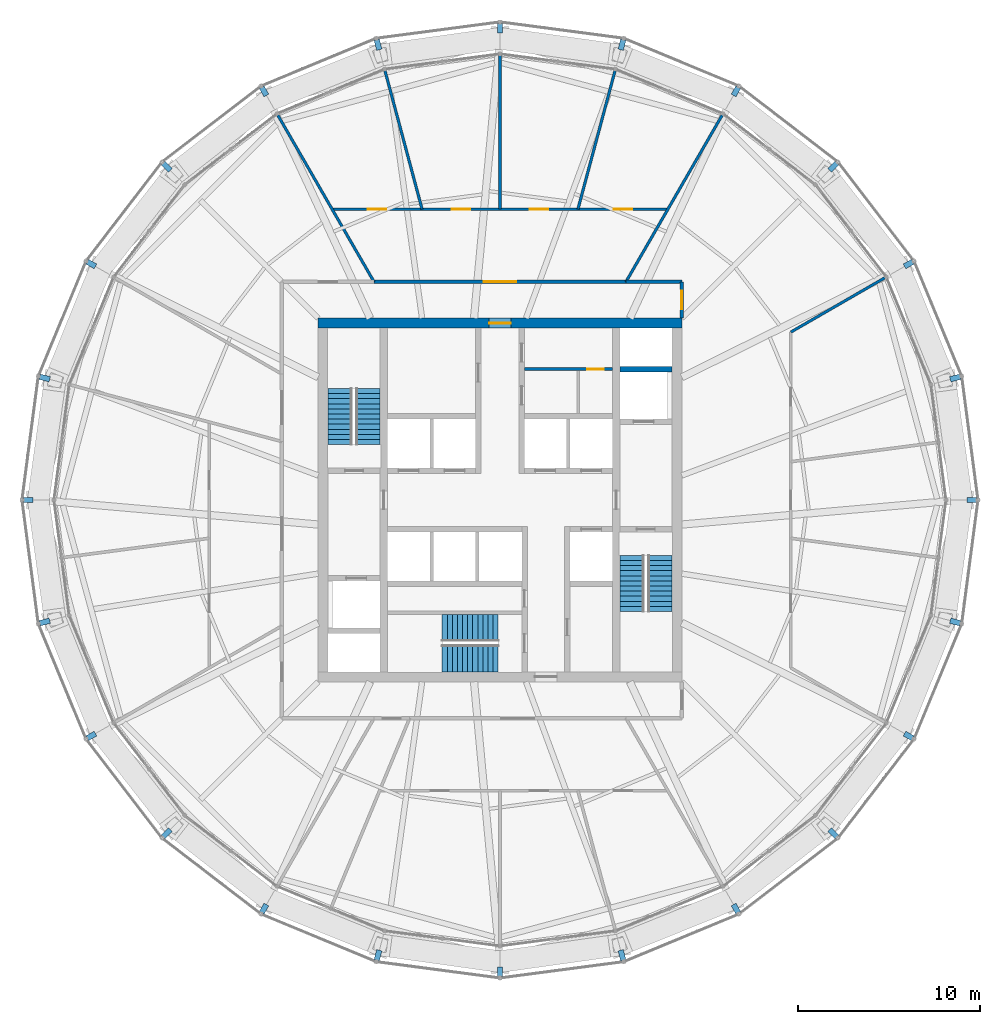
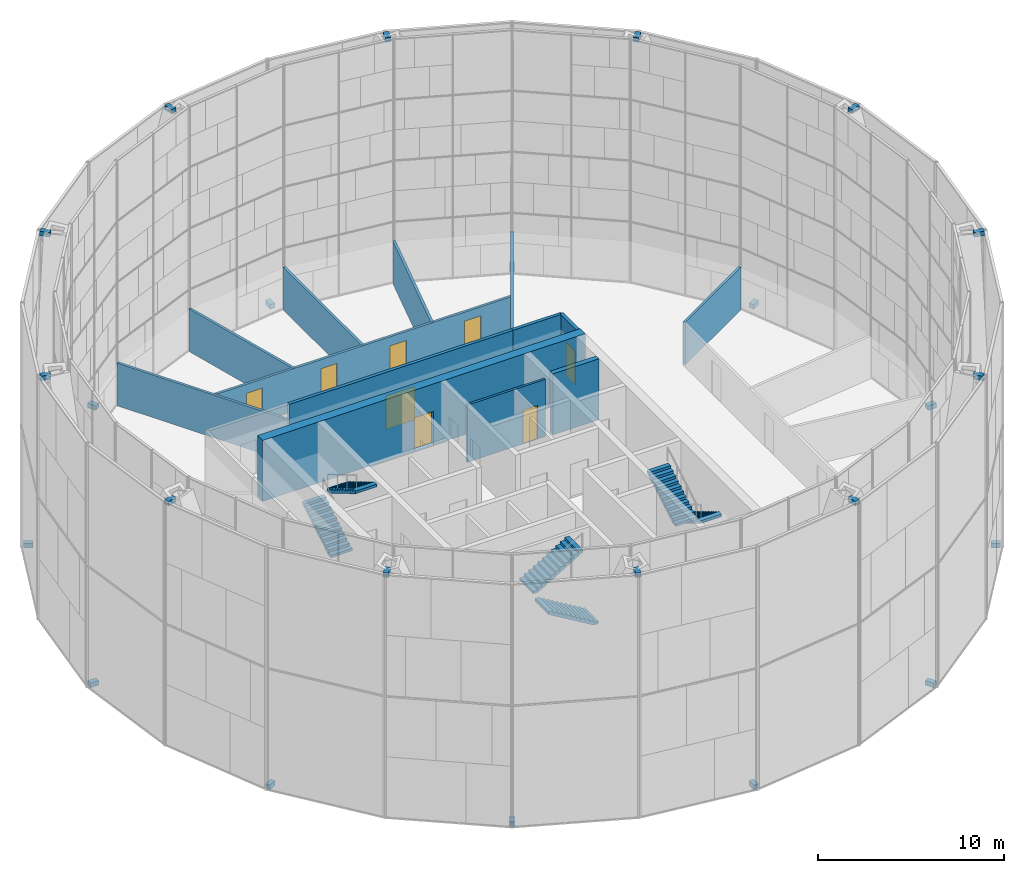
# One storey, part 28 of 29: 24 discrete accessories, 13 walls, 8 doors, 6 stair flights, 8 openings, 3 elements without a shape of their own.
"""IFC4 building model written with IfcOpenShell, lengths in metres."""

from ifc_helpers import new_model, si_unit, direction, frame, frame_2d, origin, origin_2d, place, context, subcontext, project, spatial, polyline, rectangle, outline, extrude, material, layer, layer_set, type_object, element, fill, aggregate, save


model = new_model("IFC4")

# Units and contexts
model_context = context("Model", 3, precision=1e-05, world=origin(), true_north=direction((0.0, 1.0)))
body_context = subcontext(model_context, "Body", "Model", "MODEL_VIEW")
ifc_project = project(units=[si_unit("LENGTHUNIT", "METRE"), si_unit("AREAUNIT", "SQUARE_METRE"), si_unit("VOLUMEUNIT", "CUBIC_METRE"), si_unit("PLANEANGLEUNIT", "RADIAN"), si_unit("MASSUNIT", "GRAM", prefix="KILO")], contexts=[model_context])

# Site, building, storey
site_placement = place(None, origin())
site = spatial("IfcSite", under=ifc_project, at=site_placement, CompositionType="ELEMENT")
building_placement = place(site_placement, origin())
building = spatial("IfcBuilding", under=site, at=building_placement, Name="Golbaran Civic Tower", CompositionType="ELEMENT")
storey_placement = place(building_placement, frame((0.0, 0.0, 118.0)))
storey = spatial("IfcBuildingStorey", under=building, at=storey_placement, Name="L28", CompositionType="ELEMENT", Elevation=118.0)

# Wall, opening, door
ifc_material_1 = material(Name="Concrete block", Category="concrete")
ifc_layer_1 = layer(ifc_material_1, 0.14990234375, Name="Concrete block")
ifc_layer_set_1 = layer_set([ifc_layer_1], Name="Concrete block")
wall_type_1 = type_object("IfcWallType", Name="BLOCKWORK PARTITION 150", PredefinedType="PARTITIONING", material=ifc_layer_set_1)
wall_1_placement = place(storey_placement, frame((1.35009765625, 7.199951171875, 0.0), z_axis=(0.0, 0.0, 1.0), x_axis=(1.0, 0.0, 0.0)))
wall_1 = element("IfcWall", 1, at=wall_1_placement, inside=storey, type_object=wall_type_1, Name="Toilet block partition TN1 L28", PredefinedType="PARTITIONING", context=body_context, shape_type="SweptSolid", body=[
    extrude(rectangle(XDim=4.849853515625, YDim=0.14990234375, at=frame_2d((2.4248046875, 0.0))), origin(), (0.0, 0.0, 1.0), 3.75),
])
opening_1_placement = place(wall_1_placement, frame((3.449951171875, 0.0, 0.0)))
opening_1 = element("IfcOpeningElement", 2, at=opening_1_placement, cuts=wall_1, Name="Opening L28.CLN", PredefinedType="OPENING", context=body_context, shape_type="SweptSolid", body=[
    extrude(rectangle(XDim=0.89990234375, YDim=2.199951171875, at=frame_2d((0.449951171875, 1.10009765625))), frame((0.0, 0.0849609375, 0.0), z_axis=(0.0, -1.0, 0.0), x_axis=(1.0, 0.0, 0.0)), (0.0, 0.0, 1.0), 0.169921875),
])
ifc_material_2 = material(Name="Timber door set in steel frame", Category="steel")
door_type_1 = type_object("IfcDoorType", Name="RISER DOOR 900x2200", OperationType="SINGLE_SWING_LEFT", PredefinedType="DOOR", material=ifc_material_2)
door_1_placement = place(opening_1_placement, origin())
door_1 = element("IfcDoor", 3, at=door_1_placement, inside=storey, type_object=door_type_1, Name="Housekeeping Store door", OperationType="SINGLE_SWING_RIGHT", OverallHeight=2.199951171875, OverallWidth=0.89990234375, PredefinedType="DOOR", context=body_context, shape_type="SweptSolid", body=[
    extrude(rectangle(XDim=0.89990234375, YDim=2.199951171875, at=frame_2d((0.449951171875, 1.10009765625))), frame((0.0, 0.02490234375, 0.0), z_axis=(0.0, -1.0, 0.0), x_axis=(1.0, 0.0, 0.0)), (0.0, 0.0, 1.0), 0.050048828125),
])
fill(opening_1, door_1)

ifc_material_3 = material(Name="Concrete C50/60", Category="concrete")
ifc_layer_2 = layer(ifc_material_3, 0.550048828125, Name="Concrete C50/60")
ifc_layer_set_2 = layer_set([ifc_layer_2], Name="Concrete C50/60")
wall_type_2 = type_object("IfcWallType", Name="CORE WALL CONCRETE 550", PredefinedType="SOLIDWALL", material=ifc_layer_set_2)
wall_2_placement = place(storey_placement, frame((-10.0, 9.72509765625, 0.0), z_axis=(0.0, 0.0, 1.0), x_axis=(1.0, 0.0, 0.0)))
wall_2 = element("IfcWall", 4, at=wall_2_placement, inside=storey, type_object=wall_type_2, Name="Core wall CN L28", PredefinedType="SOLIDWALL", context=body_context, shape_type="SweptSolid", body=[
    extrude(rectangle(XDim=20.0, YDim=0.550048828125, at=frame_2d((10.0, 0.0))), origin(), (0.0, 0.0, 1.0), 4.0),
])
opening_2_placement = place(wall_2_placement, frame((9.39990234375, 0.0, 0.0)))
opening_2 = element("IfcOpeningElement", 5, at=opening_2_placement, cuts=wall_2, Name="Opening L28.CN", PredefinedType="OPENING", context=body_context, shape_type="SweptSolid", body=[
    extrude(rectangle(XDim=1.199951171875, YDim=2.199951171875, at=frame_2d((0.60009765625, 1.10009765625))), frame((0.0, 0.284912109375, 0.0), z_axis=(0.0, -1.0, 0.0), x_axis=(1.0, 0.0, 0.0)), (0.0, 0.0, 1.0), 0.570068359375),
])
door_type_2 = type_object("IfcDoorType", Name="CORE DOOR 1200x2200", OperationType="DOUBLE_DOOR_SINGLE_SWING", PredefinedType="DOOR", material=ifc_material_2)
door_2_placement = place(opening_2_placement, origin())
door_2 = element("IfcDoor", 6, at=door_2_placement, inside=storey, type_object=door_type_2, Name="Core door north", OperationType="DOUBLE_DOOR_SINGLE_SWING", OverallHeight=2.199951171875, OverallWidth=1.199951171875, PredefinedType="DOOR", context=body_context, shape_type="SweptSolid", body=[
    extrude(rectangle(XDim=1.199951171875, YDim=2.199951171875, at=frame_2d((0.60009765625, 1.10009765625))), frame((0.0, 0.02490234375, 0.0), z_axis=(0.0, -1.0, 0.0), x_axis=(1.0, 0.0, 0.0)), (0.0, 0.0, 1.0), 0.050048828125),
])
fill(opening_2, door_2)

# Wall
ifc_material_4 = material(Name="Gypsum board on steel studs, fire-rated", Category="steel")
ifc_layer_3 = layer(ifc_material_4, 0.199951171875, Name="Gypsum board on steel studs, fire-rated")
ifc_layer_set_3 = layer_set([ifc_layer_3], Name="Gypsum board on steel studs, fire-rated")
wall_type_3 = type_object("IfcWallType", Name="CORRIDOR WALL 200", PredefinedType="PARTITIONING", material=ifc_layer_set_3)
wall_3_placement = place(storey_placement, frame((10.0, 12.0, 0.0), z_axis=(0.0, 0.0, 1.0), x_axis=(-1.0, 0.0, 0.0)))
element("IfcWall", 7, at=wall_3_placement, inside=storey, type_object=wall_type_3, Name="Corridor wall L28", PredefinedType="PARTITIONING", context=body_context, shape_type="SweptSolid", body=[
    extrude(rectangle(XDim=3.07177734375, YDim=0.199951171875, at=frame_2d((1.535888671875, 0.0))), origin(), (0.0, 0.0, 1.0), 3.800048828125),
])

# Wall, opening, door
wall_4_placement = place(storey_placement, frame((6.92822265625, 12.0, 0.0), z_axis=(0.0, 0.0, 1.0), x_axis=(-1.0, 0.0, 0.0)))
wall_4 = element("IfcWall", 8, at=wall_4_placement, inside=storey, type_object=wall_type_3, Name="Corridor wall L28", PredefinedType="PARTITIONING", context=body_context, shape_type="SweptSolid", body=[
    extrude(rectangle(XDim=13.8564453125, YDim=0.199951171875, at=frame_2d((6.92822265625, 0.0))), origin(), (0.0, 0.0, 1.0), 3.800048828125),
])
opening_3_placement = place(wall_4_placement, frame((6.0283203125, 0.0, 0.0)))
opening_3 = element("IfcOpeningElement", 9, at=opening_3_placement, cuts=wall_4, Name="Opening L28.13", PredefinedType="OPENING", context=body_context, shape_type="SweptSolid", body=[
    extrude(rectangle(XDim=1.800048828125, YDim=2.199951171875, at=frame_2d((0.89990234375, 1.10009765625))), frame((0.0, 0.10986328125, 0.0), z_axis=(0.0, -1.0, 0.0), x_axis=(1.0, 0.0, 0.0)), (0.0, 0.0, 1.0), 0.219970703125),
])
door_type_3 = type_object("IfcDoorType", Name="OFFICE DOUBLE DOOR 1800x2200", OperationType="DOUBLE_DOOR_SINGLE_SWING", PredefinedType="DOOR", material=ifc_material_2)
door_3_placement = place(opening_3_placement, origin())
door_3 = element("IfcDoor", 10, at=door_3_placement, inside=storey, type_object=door_type_3, Name="Secretariat door L28", OperationType="DOUBLE_DOOR_SINGLE_SWING", OverallHeight=2.199951171875, OverallWidth=1.800048828125, PredefinedType="DOOR", context=body_context, shape_type="SweptSolid", body=[
    extrude(rectangle(XDim=1.800048828125, YDim=2.199951171875, at=frame_2d((0.89990234375, 1.10009765625))), frame((0.0, 0.02490234375, 0.0), z_axis=(0.0, -1.0, 0.0), x_axis=(1.0, 0.0, 0.0)), (0.0, 0.0, 1.0), 0.050048828125),
])
fill(opening_3, door_3)

wall_5_placement = place(storey_placement, frame((10.0, 10.0, 0.0), z_axis=(0.0, 0.0, 1.0), x_axis=(0.0, 1.0, 0.0)))
wall_5 = element("IfcWall", 11, at=wall_5_placement, inside=storey, type_object=wall_type_3, Name="Corridor end wall L28", PredefinedType="PARTITIONING", context=body_context, shape_type="SweptSolid", body=[
    extrude(rectangle(XDim=2.0, YDim=0.199951171875, at=frame_2d((1.0, 0.0))), origin(), (0.0, 0.0, 1.0), 3.800048828125),
])
opening_4_placement = place(wall_5_placement, frame((0.5, 0.0, 0.0)))
opening_4 = element("IfcOpeningElement", 12, at=opening_4_placement, cuts=wall_5, Name="Opening L28.20", PredefinedType="OPENING", context=body_context, shape_type="SweptSolid", body=[
    extrude(rectangle(XDim=1.0, YDim=2.199951171875, at=frame_2d((0.5, 1.10009765625))), frame((0.0, 0.10986328125, 0.0), z_axis=(0.0, -1.0, 0.0), x_axis=(1.0, 0.0, 0.0)), (0.0, 0.0, 1.0), 0.219970703125),
])
door_type_4 = type_object("IfcDoorType", Name="OFFICE DOOR 1000x2200", OperationType="SINGLE_SWING_LEFT", PredefinedType="DOOR", material=ifc_material_2)
door_4_placement = place(opening_4_placement, origin())
door_4 = element("IfcDoor", 13, at=door_4_placement, inside=storey, type_object=door_type_4, Name="Open Office door L28", OperationType="SINGLE_SWING_LEFT", OverallHeight=2.199951171875, OverallWidth=1.0, PredefinedType="DOOR", context=body_context, shape_type="SweptSolid", body=[
    extrude(rectangle(XDim=1.0, YDim=2.199951171875, at=frame_2d((0.5, 1.10009765625))), frame((0.0, 0.02490234375, 0.0), z_axis=(0.0, -1.0, 0.0), x_axis=(1.0, 0.0, 0.0)), (0.0, 0.0, 1.0), 0.050048828125),
])
fill(opening_4, door_4)

# Walls
ifc_material_5 = material(Name="Gypsum board on steel studs", Category="steel")
ifc_layer_4 = layer(ifc_material_5, 0.14990234375, Name="Gypsum board on steel studs")
ifc_layer_set_4 = layer_set([ifc_layer_4], Name="Gypsum board on steel studs")
wall_type_4 = type_object("IfcWallType", Name="OFFICE PARTITION 150", PredefinedType="PARTITIONING", material=ifc_layer_set_4)
for number, where, z_axis, x_axis, name in (
    (14, (6.92822265625, 12.0, 0.0), (0.0, 0.0, 1.0), (0.500003251404, 0.866023526577, 0.0), "Partition 60 L28"),
    (15, (-6.92822265625, 12.0, 0.0), (0.0, 0.0, 1.0), (-0.500003251404, 0.866023526577, 0.0), "Partition 120 L28"),
):
    element("IfcWall", number, at=place(storey_placement, frame(where, z_axis=z_axis, x_axis=x_axis)), inside=storey, type_object=wall_type_4, Name=name, PredefinedType="PARTITIONING", context=body_context, shape_type="SweptSolid", body=[
        extrude(rectangle(XDim=10.5869140625, YDim=0.14990234375, at=frame_2d((5.29345703125, 0.0))), origin(), (0.0, 0.0, 1.0), 2.7900390625),
    ])
wall_6_placement = place(storey_placement, frame((16.0, 9.237548828125, 0.0), z_axis=(0.0, 0.0, 1.0), x_axis=(0.866016638956, 0.50001518082, 0.0)))
element("IfcWall", 16, at=wall_6_placement, inside=storey, type_object=wall_type_4, Name="Suite side partition L28", PredefinedType="PARTITIONING", context=body_context, shape_type="SweptSolid", body=[
    extrude(rectangle(XDim=5.968017578125, YDim=0.14990234375, at=frame_2d((2.98388671875, 0.0))), origin(), (0.0, 0.0, 1.0), 2.7900390625),
])

# Wall, openings, doors
wall_7_placement = place(storey_placement, frame((9.237548828125, 16.0, 0.0), z_axis=(0.0, 0.0, 1.0), x_axis=(-1.0, 0.0, 0.0)))
wall_7 = element("IfcWall", 17, at=wall_7_placement, inside=storey, type_object=wall_type_4, Name="Suite partition L28", PredefinedType="PARTITIONING", context=body_context, shape_type="SweptSolid", body=[
    extrude(rectangle(XDim=18.47509765625, YDim=0.14990234375, at=frame_2d((9.237548828125, 0.0))), origin(), (0.0, 0.0, 1.0), 2.7900390625),
])
opening_5_placement = place(wall_7_placement, frame((1.97509765625, 0.0, 0.0)))
opening_5 = element("IfcOpeningElement", 18, at=opening_5_placement, cuts=wall_7, Name="Opening L28.04", PredefinedType="OPENING", context=body_context, shape_type="SweptSolid", body=[
    extrude(rectangle(XDim=1.0, YDim=2.199951171875, at=frame_2d((0.5, 1.10009765625))), frame((0.0, 0.0849609375, 0.0), z_axis=(0.0, -1.0, 0.0), x_axis=(1.0, 0.0, 0.0)), (0.0, 0.0, 1.0), 0.169921875),
])
opening_6_placement = place(wall_7_placement, frame((6.593994140625, 0.0, 0.0)))
opening_6 = element("IfcOpeningElement", 19, at=opening_6_placement, cuts=wall_7, Name="Opening L28.05", PredefinedType="OPENING", context=body_context, shape_type="SweptSolid", body=[
    extrude(rectangle(XDim=1.0, YDim=2.199951171875, at=frame_2d((0.5, 1.10009765625))), frame((0.0, 0.0849609375, 0.0), z_axis=(0.0, -1.0, 0.0), x_axis=(1.0, 0.0, 0.0)), (0.0, 0.0, 1.0), 0.169921875),
])
opening_7_placement = place(wall_7_placement, frame((10.881103515625, 0.0, 0.0)))
opening_7 = element("IfcOpeningElement", 20, at=opening_7_placement, cuts=wall_7, Name="Opening L28.06", PredefinedType="OPENING", context=body_context, shape_type="SweptSolid", body=[
    extrude(rectangle(XDim=1.0, YDim=2.199951171875, at=frame_2d((0.5, 1.10009765625))), frame((0.0, 0.0849609375, 0.0), z_axis=(0.0, -1.0, 0.0), x_axis=(1.0, 0.0, 0.0)), (0.0, 0.0, 1.0), 0.169921875),
])
opening_8_placement = place(wall_7_placement, frame((15.5, 0.0, 0.0)))
opening_8 = element("IfcOpeningElement", 21, at=opening_8_placement, cuts=wall_7, Name="Opening L28.07", PredefinedType="OPENING", context=body_context, shape_type="SweptSolid", body=[
    extrude(rectangle(XDim=1.0, YDim=2.199951171875, at=frame_2d((0.5, 1.10009765625))), frame((0.0, 0.0849609375, 0.0), z_axis=(0.0, -1.0, 0.0), x_axis=(1.0, 0.0, 0.0)), (0.0, 0.0, 1.0), 0.169921875),
])
door_5_placement = place(opening_5_placement, origin())
door_5 = element("IfcDoor", 22, at=door_5_placement, inside=storey, type_object=door_type_4, Name="Director's Office door L28", OperationType="SINGLE_SWING_LEFT", OverallHeight=2.199951171875, OverallWidth=1.0, PredefinedType="DOOR", context=body_context, shape_type="SweptSolid", body=[
    extrude(rectangle(XDim=1.0, YDim=2.199951171875, at=frame_2d((0.5, 1.10009765625))), frame((0.0, 0.02490234375, 0.0), z_axis=(0.0, -1.0, 0.0), x_axis=(1.0, 0.0, 0.0)), (0.0, 0.0, 1.0), 0.050048828125),
])
fill(opening_5, door_5)
door_6_placement = place(opening_6_placement, origin())
door_6 = element("IfcDoor", 23, at=door_6_placement, inside=storey, type_object=door_type_4, Name="Office door L28", OperationType="SINGLE_SWING_LEFT", OverallHeight=2.199951171875, OverallWidth=1.0, PredefinedType="DOOR", context=body_context, shape_type="SweptSolid", body=[
    extrude(rectangle(XDim=1.0, YDim=2.199951171875, at=frame_2d((0.5, 1.10009765625))), frame((0.0, 0.02490234375, 0.0), z_axis=(0.0, -1.0, 0.0), x_axis=(1.0, 0.0, 0.0)), (0.0, 0.0, 1.0), 0.050048828125),
])
fill(opening_6, door_6)
door_7_placement = place(opening_7_placement, origin())
door_7 = element("IfcDoor", 24, at=door_7_placement, inside=storey, type_object=door_type_4, Name="Office door L28", OperationType="SINGLE_SWING_RIGHT", OverallHeight=2.199951171875, OverallWidth=1.0, PredefinedType="DOOR", context=body_context, shape_type="SweptSolid", body=[
    extrude(rectangle(XDim=1.0, YDim=2.199951171875, at=frame_2d((0.5, 1.10009765625))), frame((0.0, 0.02490234375, 0.0), z_axis=(0.0, -1.0, 0.0), x_axis=(1.0, 0.0, 0.0)), (0.0, 0.0, 1.0), 0.050048828125),
])
fill(opening_7, door_7)
door_8_placement = place(opening_8_placement, origin())
door_8 = element("IfcDoor", 25, at=door_8_placement, inside=storey, type_object=door_type_4, Name="Office door L28", OperationType="SINGLE_SWING_RIGHT", OverallHeight=2.199951171875, OverallWidth=1.0, PredefinedType="DOOR", context=body_context, shape_type="SweptSolid", body=[
    extrude(rectangle(XDim=1.0, YDim=2.199951171875, at=frame_2d((0.5, 1.10009765625))), frame((0.0, 0.02490234375, 0.0), z_axis=(0.0, -1.0, 0.0), x_axis=(1.0, 0.0, 0.0)), (0.0, 0.0, 1.0), 0.050048828125),
])
fill(opening_8, door_8)

# Walls
wall_8_placement = place(storey_placement, frame((4.287109375, 16.0, 0.0), z_axis=(0.0, 0.0, 1.0), x_axis=(0.258833147156, 0.965922047545, 0.0)))
element("IfcWall", 26, at=wall_8_placement, inside=storey, type_object=wall_type_4, Name="Partition 75 L28", PredefinedType="PARTITIONING", context=body_context, shape_type="SweptSolid", body=[
    extrude(rectangle(XDim=7.87890625, YDim=0.14990234375, at=frame_2d((3.939453125, 0.0))), origin(), (0.0, 0.0, 1.0), 2.7900390625),
])
wall_9_placement = place(storey_placement, frame((0.0, 16.0, 0.0), z_axis=(0.0, 0.0, 1.0), x_axis=(0.0, 1.0, 0.0)))
element("IfcWall", 27, at=wall_9_placement, inside=storey, type_object=wall_type_4, Name="Partition 90 L28", PredefinedType="PARTITIONING", context=body_context, shape_type="SweptSolid", body=[
    extrude(rectangle(XDim=8.443115234375, YDim=0.14990234375, at=frame_2d((4.2216796875, 0.0))), origin(), (0.0, 0.0, 1.0), 2.7900390625),
])
wall_10_placement = place(storey_placement, frame((-4.287109375, 16.0, 0.0), z_axis=(0.0, 0.0, 1.0), x_axis=(-0.258833147156, 0.965922047545, 0.0)))
element("IfcWall", 28, at=wall_10_placement, inside=storey, type_object=wall_type_4, Name="Partition 105 L28", PredefinedType="PARTITIONING", context=body_context, shape_type="SweptSolid", body=[
    extrude(rectangle(XDim=7.87890625, YDim=0.14990234375, at=frame_2d((3.939453125, 0.0))), origin(), (0.0, 0.0, 1.0), 2.7900390625),
])
ifc_layer_5 = layer(ifc_material_3, 0.300048828125, Name="Concrete C50/60")
ifc_layer_set_5 = layer_set([ifc_layer_5], Name="Concrete C50/60")
wall_type_5 = type_object("IfcWallType", Name="SHAFT WALL CONCRETE 300", PredefinedType="SOLIDWALL", material=ifc_layer_set_5)
wall_11_placement = place(storey_placement, frame((6.60009765625, 7.199951171875, 0.0), z_axis=(0.0, 0.0, 1.0), x_axis=(1.0, 0.0, 0.0)))
element("IfcWall", 29, at=wall_11_placement, inside=storey, type_object=wall_type_5, Name="Core wall XE3 L28", PredefinedType="SOLIDWALL", context=body_context, shape_type="SweptSolid", body=[
    extrude(rectangle(XDim=2.849853515625, YDim=0.300048828125, at=frame_2d((1.4248046875, 0.0))), origin(), (0.0, 0.0, 1.0), 4.0),
])

# Stair, stair flights
ifc_material_6 = material(Name="Concrete C35/45", Category="concrete")
stair_type_1 = type_object("IfcStairType", Name="EXIT STAIR 2850 x 7700, 4000 RISE", PredefinedType="HALF_TURN_STAIR", material=ifc_material_6)
stair_1_placement = place(storey_placement, origin())
stair_1 = element("IfcStair", 30, at=stair_1_placement, inside=storey, type_object=stair_type_1, Name="Stair S1 L28", PredefinedType="HALF_TURN_STAIR")
stair_flight_type_1 = type_object("IfcStairFlightType", Name="STAIR FLIGHT 1325 WIDE", PredefinedType="STRAIGHT", material=ifc_material_6)
stair_flight_1_placement = place(storey_placement, frame((-8.78759765625, 3.050048828125, 0.0), z_axis=(0.0, 0.0, 1.0), x_axis=(0.0, 1.0, 0.0)))
stair_flight_1 = element("IfcStairFlight", 31, at=stair_flight_1_placement, type_object=stair_flight_type_1, Name="ST28577-40 flight 1", NumberOfRisers=12, NumberOfTreads=11, PredefinedType="STRAIGHT", RiserHeight=0.166666667, TreadLength=0.28, context=body_context, shape_type="SweptSolid", body=[
    extrude(outline(polyline([(0.0, 0.0), (0.0, 0.166748046875), (0.280029296875, 0.166748046875), (0.280029296875, 0.333251953125), (0.56005859375, 0.333251953125), (0.56005859375, 0.5), (0.840087890625, 0.5), (0.840087890625, 0.666748046875), (1.1201171875, 0.666748046875), (1.1201171875, 0.833251953125), (1.39990234375, 0.833251953125), (1.39990234375, 1.0), (1.679931640625, 1.0), (1.679931640625, 1.166748046875), (1.9599609375, 1.166748046875), (1.9599609375, 1.333251953125), (2.239990234375, 1.333251953125), (2.239990234375, 1.5), (2.52001953125, 1.5), (2.52001953125, 1.666748046875), (2.800048828125, 1.666748046875), (2.800048828125, 1.833251953125), (3.080078125, 1.833251953125), (3.080078125, 2.0), (3.080078125, 1.658935546875), (0.29296875, 0.0), (0.0, 0.0)])), frame((0.0, 0.66259765625, 0.0), z_axis=(0.0, -1.0, 0.0), x_axis=(1.0, 0.0, 0.0)), (0.0, 0.0, 1.0), 1.324951171875),
])
stair_flight_2_placement = place(storey_placement, frame((-7.262451171875, 6.1298828125, 2.0), z_axis=(0.0, 0.0, 1.0), x_axis=(0.0, -1.0, 0.0)))
stair_flight_2 = element("IfcStairFlight", 32, at=stair_flight_2_placement, type_object=stair_flight_type_1, Name="ST28577-40 flight 2", NumberOfRisers=12, NumberOfTreads=11, PredefinedType="STRAIGHT", RiserHeight=0.166666667, TreadLength=0.28, context=body_context, shape_type="SweptSolid", body=[
    extrude(outline(polyline([(0.0, 0.0), (0.0, 0.166748046875), (0.280029296875, 0.166748046875), (0.280029296875, 0.333251953125), (0.56005859375, 0.333251953125), (0.56005859375, 0.5), (0.840087890625, 0.5), (0.840087890625, 0.666748046875), (1.1201171875, 0.666748046875), (1.1201171875, 0.833251953125), (1.39990234375, 0.833251953125), (1.39990234375, 1.0), (1.679931640625, 1.0), (1.679931640625, 1.166748046875), (1.9599609375, 1.166748046875), (1.9599609375, 1.333251953125), (2.239990234375, 1.333251953125), (2.239990234375, 1.5), (2.52001953125, 1.5), (2.52001953125, 1.666748046875), (2.800048828125, 1.666748046875), (2.800048828125, 1.833251953125), (3.080078125, 1.833251953125), (3.080078125, 2.0), (3.080078125, 1.658935546875), (0.29296875, 0.0), (0.0, 0.0)])), frame((0.0, 0.66259765625, 0.0), z_axis=(0.0, -1.0, 0.0), x_axis=(1.0, 0.0, 0.0)), (0.0, 0.0, 1.0), 1.324951171875),
])
aggregate(stair_1, [stair_flight_1, stair_flight_2])

stair_2_placement = place(storey_placement, origin())
stair_2 = element("IfcStair", 33, at=stair_2_placement, inside=storey, type_object=stair_type_1, Name="Stair S2 L28", PredefinedType="HALF_TURN_STAIR")
stair_flight_3_placement = place(storey_placement, frame((8.78759765625, -3.050048828125, 0.0), z_axis=(0.0, 0.0, 1.0), x_axis=(0.0, -1.0, 0.0)))
stair_flight_3 = element("IfcStairFlight", 34, at=stair_flight_3_placement, type_object=stair_flight_type_1, Name="ST28577-40 flight 1", NumberOfRisers=12, NumberOfTreads=11, PredefinedType="STRAIGHT", RiserHeight=0.166666667, TreadLength=0.28, context=body_context, shape_type="SweptSolid", body=[
    extrude(outline(polyline([(0.0, 0.0), (0.0, 0.166748046875), (0.280029296875, 0.166748046875), (0.280029296875, 0.333251953125), (0.56005859375, 0.333251953125), (0.56005859375, 0.5), (0.840087890625, 0.5), (0.840087890625, 0.666748046875), (1.1201171875, 0.666748046875), (1.1201171875, 0.833251953125), (1.39990234375, 0.833251953125), (1.39990234375, 1.0), (1.679931640625, 1.0), (1.679931640625, 1.166748046875), (1.9599609375, 1.166748046875), (1.9599609375, 1.333251953125), (2.239990234375, 1.333251953125), (2.239990234375, 1.5), (2.52001953125, 1.5), (2.52001953125, 1.666748046875), (2.800048828125, 1.666748046875), (2.800048828125, 1.833251953125), (3.080078125, 1.833251953125), (3.080078125, 2.0), (3.080078125, 1.658935546875), (0.29296875, 0.0), (0.0, 0.0)])), frame((0.0, 0.66259765625, 0.0), z_axis=(0.0, -1.0, 0.0), x_axis=(1.0, 0.0, 0.0)), (0.0, 0.0, 1.0), 1.324951171875),
])
stair_flight_4_placement = place(storey_placement, frame((7.262451171875, -6.1298828125, 2.0), z_axis=(0.0, 0.0, 1.0), x_axis=(0.0, 1.0, 0.0)))
stair_flight_4 = element("IfcStairFlight", 35, at=stair_flight_4_placement, type_object=stair_flight_type_1, Name="ST28577-40 flight 2", NumberOfRisers=12, NumberOfTreads=11, PredefinedType="STRAIGHT", RiserHeight=0.166666667, TreadLength=0.28, context=body_context, shape_type="SweptSolid", body=[
    extrude(outline(polyline([(0.0, 0.0), (0.0, 0.166748046875), (0.280029296875, 0.166748046875), (0.280029296875, 0.333251953125), (0.56005859375, 0.333251953125), (0.56005859375, 0.5), (0.840087890625, 0.5), (0.840087890625, 0.666748046875), (1.1201171875, 0.666748046875), (1.1201171875, 0.833251953125), (1.39990234375, 0.833251953125), (1.39990234375, 1.0), (1.679931640625, 1.0), (1.679931640625, 1.166748046875), (1.9599609375, 1.166748046875), (1.9599609375, 1.333251953125), (2.239990234375, 1.333251953125), (2.239990234375, 1.5), (2.52001953125, 1.5), (2.52001953125, 1.666748046875), (2.800048828125, 1.666748046875), (2.800048828125, 1.833251953125), (3.080078125, 1.833251953125), (3.080078125, 2.0), (3.080078125, 1.658935546875), (0.29296875, 0.0), (0.0, 0.0)])), frame((0.0, 0.66259765625, 0.0), z_axis=(0.0, -1.0, 0.0), x_axis=(1.0, 0.0, 0.0)), (0.0, 0.0, 1.0), 1.324951171875),
])
aggregate(stair_2, [stair_flight_3, stair_flight_4])

stair_type_2 = type_object("IfcStairType", Name="EXIT STAIR 3150 x 7400, 4000 RISE", PredefinedType="HALF_TURN_STAIR", material=ifc_material_6)
stair_3_placement = place(storey_placement, origin())
stair_3 = element("IfcStair", 36, at=stair_3_placement, inside=storey, type_object=stair_type_2, Name="Stair S3 L28", PredefinedType="HALF_TURN_STAIR")
stair_flight_type_2 = type_object("IfcStairFlightType", Name="STAIR FLIGHT 1475 WIDE", PredefinedType="STRAIGHT", material=ifc_material_6)
stair_flight_5_placement = place(storey_placement, frame((-0.10009765625, -8.71240234375, 0.0), z_axis=(0.0, 0.0, 1.0), x_axis=(-1.0, 0.0, 0.0)))
stair_flight_5 = element("IfcStairFlight", 37, at=stair_flight_5_placement, type_object=stair_flight_type_2, Name="ST31574-40 flight 1", NumberOfRisers=12, NumberOfTreads=11, PredefinedType="STRAIGHT", RiserHeight=0.166666667, TreadLength=0.28, context=body_context, shape_type="SweptSolid", body=[
    extrude(outline(polyline([(0.0, 0.0), (0.0, 0.166748046875), (0.280029296875, 0.166748046875), (0.280029296875, 0.333251953125), (0.56005859375, 0.333251953125), (0.56005859375, 0.5), (0.840087890625, 0.5), (0.840087890625, 0.666748046875), (1.1201171875, 0.666748046875), (1.1201171875, 0.833251953125), (1.39990234375, 0.833251953125), (1.39990234375, 1.0), (1.679931640625, 1.0), (1.679931640625, 1.166748046875), (1.9599609375, 1.166748046875), (1.9599609375, 1.333251953125), (2.239990234375, 1.333251953125), (2.239990234375, 1.5), (2.52001953125, 1.5), (2.52001953125, 1.666748046875), (2.800048828125, 1.666748046875), (2.800048828125, 1.833251953125), (3.080078125, 1.833251953125), (3.080078125, 2.0), (3.080078125, 1.658935546875), (0.29296875, 0.0), (0.0, 0.0)])), frame((0.0, 0.737548828125, 0.0), z_axis=(0.0, -1.0, 0.0), x_axis=(1.0, 0.0, 0.0)), (0.0, 0.0, 1.0), 1.47509765625),
])
stair_flight_6_placement = place(storey_placement, frame((-3.179931640625, -7.03759765625, 2.0), z_axis=(0.0, 0.0, 1.0), x_axis=(1.0, 0.0, 0.0)))
stair_flight_6 = element("IfcStairFlight", 38, at=stair_flight_6_placement, type_object=stair_flight_type_2, Name="ST31574-40 flight 2", NumberOfRisers=12, NumberOfTreads=11, PredefinedType="STRAIGHT", RiserHeight=0.166666667, TreadLength=0.28, context=body_context, shape_type="SweptSolid", body=[
    extrude(outline(polyline([(0.0, 0.0), (0.0, 0.166748046875), (0.280029296875, 0.166748046875), (0.280029296875, 0.333251953125), (0.56005859375, 0.333251953125), (0.56005859375, 0.5), (0.840087890625, 0.5), (0.840087890625, 0.666748046875), (1.1201171875, 0.666748046875), (1.1201171875, 0.833251953125), (1.39990234375, 0.833251953125), (1.39990234375, 1.0), (1.679931640625, 1.0), (1.679931640625, 1.166748046875), (1.9599609375, 1.166748046875), (1.9599609375, 1.333251953125), (2.239990234375, 1.333251953125), (2.239990234375, 1.5), (2.52001953125, 1.5), (2.52001953125, 1.666748046875), (2.800048828125, 1.666748046875), (2.800048828125, 1.833251953125), (3.080078125, 1.833251953125), (3.080078125, 2.0), (3.080078125, 1.658935546875), (0.29296875, 0.0), (0.0, 0.0)])), frame((0.0, 0.737548828125, 0.0), z_axis=(0.0, -1.0, 0.0), x_axis=(1.0, 0.0, 0.0)), (0.0, 0.0, 1.0), 1.47509765625),
])
aggregate(stair_3, [stair_flight_5, stair_flight_6])

# Discrete accessories
ifc_material_7 = material(Name="Steel S355", Category="steel")
discrete_accessory_type = type_object("IfcDiscreteAccessoryType", Name="OUTER SKIN BRACKET", PredefinedType="BRACKET", material=ifc_material_7)
for number, where, z_axis, x_axis, name in (
    (39, (25.952880859375, 0.0, -0.7099609375), (0.0, 0.0, 1.0), (1.0, 0.0, 0.0), "Outer skin bracket L28 node 1"),
    (40, (22.47607421875, 12.9765625, -0.7099609375), (0.0, 0.0, 1.0), (0.866025403784, 0.5, 0.0), "Outer skin bracket L28 node 2"),
    (41, (12.9765625, 22.47607421875, -0.7099609375), (0.0, 0.0, 1.0), (0.5, 0.866025403784, 0.0), "Outer skin bracket L28 node 3"),
    (42, (0.0, 25.952880859375, -0.7099609375), (0.0, 0.0, 1.0), (0.0, 1.0, 0.0), "Outer skin bracket L28 node 4"),
    (43, (-12.9765625, 22.47607421875, -0.7099609375), (0.0, 0.0, 1.0), (-0.5, 0.866025403784, 0.0), "Outer skin bracket L28 node 5"),
    (44, (-22.47607421875, 12.9765625, -0.7099609375), (0.0, 0.0, 1.0), (-0.866025403784, 0.5, 0.0), "Outer skin bracket L28 node 6"),
    (45, (-25.952880859375, 0.0, -0.7099609375), (0.0, 0.0, 1.0), (-1.0, 0.0, 0.0), "Outer skin bracket L28 node 7"),
    (46, (-22.47607421875, -12.9765625, -0.7099609375), (0.0, 0.0, 1.0), (-0.866025403784, -0.5, 0.0), "Outer skin bracket L28 node 8"),
    (47, (-12.9765625, -22.47607421875, -0.7099609375), (0.0, 0.0, 1.0), (-0.5, -0.866025403784, 0.0), "Outer skin bracket L28 node 9"),
    (48, (0.0, -25.952880859375, -0.7099609375), (0.0, 0.0, 1.0), (0.0, -1.0, 0.0), "Outer skin bracket L28 node 10"),
    (49, (12.9765625, -22.47607421875, -0.7099609375), (0.0, 0.0, 1.0), (0.5, -0.866025403784, 0.0), "Outer skin bracket L28 node 11"),
    (50, (22.47607421875, -12.9765625, -0.7099609375), (0.0, 0.0, 1.0), (0.866025403784, -0.5, 0.0), "Outer skin bracket L28 node 12"),
):
    element("IfcDiscreteAccessory", number, at=place(storey_placement, frame(where, z_axis=z_axis, x_axis=x_axis)), inside=storey, type_object=discrete_accessory_type, Name=name, PredefinedType="BRACKET", context=body_context, shape_type="SweptSolid", body=[
        extrude(rectangle(XDim=0.52001953125, YDim=0.300048828125, at=origin_2d()), origin(), (0.0, 0.0, 1.0), 0.300048828125),
    ])
for number, where, z_axis, x_axis, name in (
    (51, (25.04296875, 6.710205078125, 14.98974609375), (0.0, 0.0, 1.0), (0.965925826289, 0.258819045103, 0.0), "Outer skin head bracket L28 node 1"),
    (52, (18.332763671875, 18.332763671875, 14.98974609375), (0.0, 0.0, 1.0), (0.707106781187, 0.707106781187, 0.0), "Outer skin head bracket L28 node 2"),
    (53, (6.710205078125, 25.04296875, 14.98974609375), (0.0, 0.0, 1.0), (0.258819045103, 0.965925826289, 0.0), "Outer skin head bracket L28 node 3"),
    (54, (-6.710205078125, 25.04296875, 14.98974609375), (0.0, 0.0, 1.0), (-0.258819045103, 0.965925826289, 0.0), "Outer skin head bracket L28 node 4"),
    (55, (-18.332763671875, 18.332763671875, 14.98974609375), (0.0, 0.0, 1.0), (-0.707106781187, 0.707106781187, 0.0), "Outer skin head bracket L28 node 5"),
    (56, (-25.04296875, 6.710205078125, 14.98974609375), (0.0, 0.0, 1.0), (-0.965925826289, 0.258819045103, 0.0), "Outer skin head bracket L28 node 6"),
    (57, (-25.04296875, -6.710205078125, 14.98974609375), (0.0, 0.0, 1.0), (-0.965925826289, -0.258819045103, 0.0), "Outer skin head bracket L28 node 7"),
    (58, (-18.332763671875, -18.332763671875, 14.98974609375), (0.0, 0.0, 1.0), (-0.707106781187, -0.707106781187, 0.0), "Outer skin head bracket L28 node 8"),
    (59, (-6.710205078125, -25.04296875, 14.98974609375), (0.0, 0.0, 1.0), (-0.258819045103, -0.965925826289, 0.0), "Outer skin head bracket L28 node 9"),
    (60, (6.710205078125, -25.04296875, 14.98974609375), (0.0, 0.0, 1.0), (0.258819045103, -0.965925826289, 0.0), "Outer skin head bracket L28 node 10"),
    (61, (18.332763671875, -18.332763671875, 14.98974609375), (0.0, 0.0, 1.0), (0.707106781187, -0.707106781187, 0.0), "Outer skin head bracket L28 node 11"),
    (62, (25.04296875, -6.710205078125, 14.98974609375), (0.0, 0.0, 1.0), (0.965925826289, -0.258819045103, 0.0), "Outer skin head bracket L28 node 12"),
):
    element("IfcDiscreteAccessory", number, at=place(storey_placement, frame(where, z_axis=z_axis, x_axis=x_axis)), inside=storey, type_object=discrete_accessory_type, Name=name, PredefinedType="BRACKET", context=body_context, shape_type="SweptSolid", body=[
        extrude(rectangle(XDim=0.572998046875, YDim=0.300048828125, at=origin_2d()), origin(), (0.0, 0.0, 1.0), 0.300048828125),
    ])

save(model, "model.ifc")
